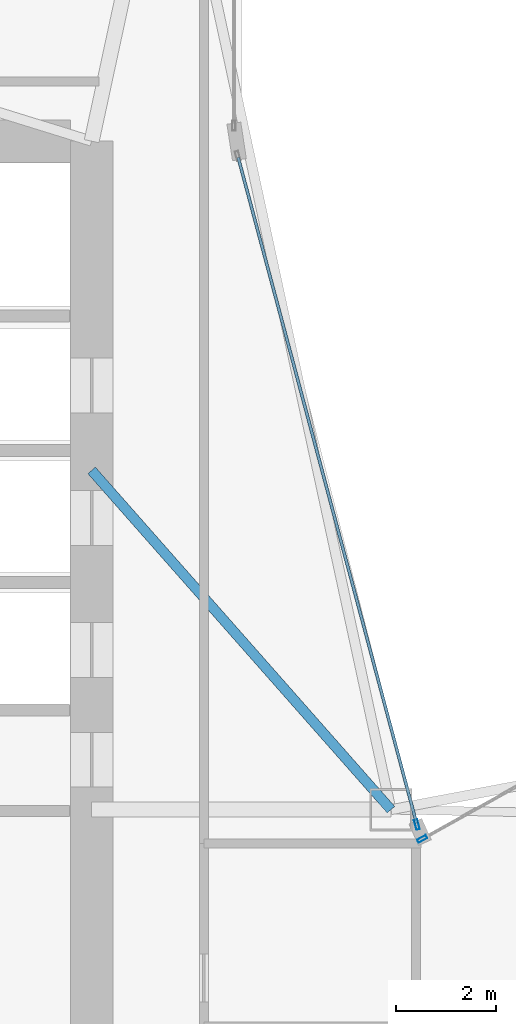
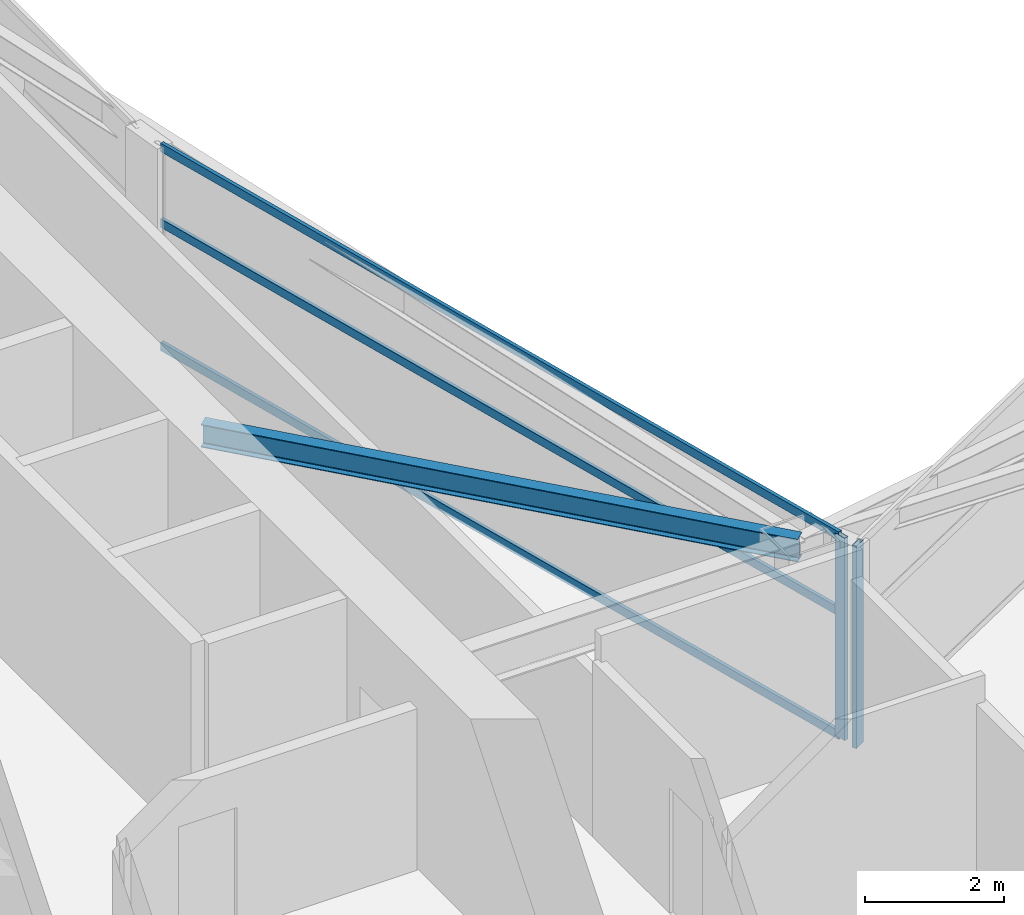
# One storey, part 10 of 29: 5 members, 1 beam, 2 elements without a shape of their own.
"""IFC4 building model written with IfcOpenShell, lengths in metres."""

from ifc_helpers import new_model, si_unit, direction, frame, origin, origin_2d, place, context, subcontext, project, spatial, hollow_rectangle, i_section, extrude, material, layer, layer_set, material_profile, profile_set, type_object, element, aggregate, save


model = new_model("IFC4")

# Units and contexts
model_context = context("Model", 3, precision=1e-05, world=origin(), true_north=direction((0.0, 1.0)))
body_context = subcontext(model_context, "Body", "Model", "MODEL_VIEW")
ifc_project = project(units=[si_unit("LENGTHUNIT", "METRE"), si_unit("AREAUNIT", "SQUARE_METRE"), si_unit("VOLUMEUNIT", "CUBIC_METRE"), si_unit("PLANEANGLEUNIT", "RADIAN"), si_unit("MASSUNIT", "GRAM", prefix="KILO")], contexts=[model_context])

# Site, building, storey
site_placement = place(None, origin())
site = spatial("IfcSite", under=ifc_project, at=site_placement, CompositionType="ELEMENT")
building_placement = place(site_placement, origin())
building = spatial("IfcBuilding", under=site, at=building_placement, Name="Calvorn Quay Hotel", CompositionType="ELEMENT")
storey_placement = place(building_placement, frame((0.0, 0.0, 105.0)))
storey = spatial("IfcBuildingStorey", under=building, at=storey_placement, Name="L25", CompositionType="ELEMENT", Elevation=105.0)

# Beam
ifc_material_1 = material(Name="Steel Q355B", Category="steel")
ifc_material_profile_1 = material_profile(ifc_material_1, i_section(OverallWidth=0.199951171875, OverallDepth=0.39990234375, WebThickness=0.008056640625, FlangeThickness=0.012939453125, FilletRadius=0.01611328125, at=origin_2d()), Name="HN400x200x8x13")
ifc_profile_set_1 = profile_set([ifc_material_profile_1], Name="Steel Q355B")
beam_type = type_object("IfcBeamType", Name="BM-JOIST-TYP", PredefinedType="JOIST", material=ifc_profile_set_1)
beam_placement = place(storey_placement, frame((15.0, 31.800048828125, 3.340087890625), z_axis=(0.661618965899, -0.749840212287, 0.0), x_axis=(0.749840212287, 0.661618965899, 0.0)))
element("IfcBeam", 1, at=beam_placement, inside=storey, type_object=beam_type, Name="Beam BJ-L25-C1", PredefinedType="JOIST", context=body_context, shape_type="SweptSolid", body=[
    extrude(i_section(OverallWidth=0.199951171875, OverallDepth=0.39990234375, WebThickness=0.008056640625, FlangeThickness=0.012939453125, FilletRadius=0.01611328125, at=origin_2d()), origin(), (0.0, 0.0, 1.0), 9.068603515625),
])

# Curtain wall, member
ifc_material_2 = material(Name="Pale Anodised Aluminium and Low-E Glass", Category="aluminium")
ifc_layer = layer(ifc_material_2, 0.219970703125)
ifc_layer_set = layer_set([ifc_layer], Name="CW-SYS-Z2")
curtain_wall_type = type_object("IfcCurtainWallType", Name="CW-SYS-Z2", PredefinedType="NOTDEFINED", material=ifc_layer_set)
curtain_wall_1_placement = place(storey_placement, origin())
curtain_wall_1 = element("IfcCurtainWall", 2, at=curtain_wall_1_placement, inside=storey, type_object=curtain_wall_type, Name="Inner Court Curtain Wall L25-NE1", PredefinedType="NOTDEFINED")
ifc_material_3 = material(Name="Pale Anodised Aluminium 6063-T6", Category="aluminium")
ifc_material_profile_2 = material_profile(ifc_material_3, hollow_rectangle(XDim=0.070068359375, YDim=0.199951171875, WallThickness=0.00390625, at=origin_2d()), Name="ALU-M200x70x4")
ifc_profile_set_2 = profile_set([ifc_material_profile_2], Name="Pale Anodised Aluminium 6063-T6")
member_type_1 = type_object("IfcMemberType", Name="CW-SYS-Z2-MUL", PredefinedType="MULLION", material=ifc_profile_set_2)
member_1_placement = place(storey_placement, frame((21.626220703125, 24.41455078125, 0.0), z_axis=(0.0, 0.0, 1.0), x_axis=(0.486858256224, -0.873480989116, 0.0)))
member_1 = element("IfcMember", 3, at=member_1_placement, type_object=member_type_1, Name="CW-L25-NE1 mullion 4", PredefinedType="MULLION", context=body_context, shape_type="SweptSolid", body=[
    extrude(hollow_rectangle(XDim=0.070068359375, YDim=0.199951171875, WallThickness=0.00390625, at=origin_2d()), origin(), (0.0, 0.0, 1.0), 3.56005859375),
])
aggregate(curtain_wall_1, [member_1])

# Curtain wall, members
curtain_wall_2_placement = place(storey_placement, origin())
curtain_wall_2 = element("IfcCurtainWall", 4, at=curtain_wall_2_placement, inside=storey, type_object=curtain_wall_type, Name="Inner Court Curtain Wall L25-IC1", PredefinedType="NOTDEFINED")
member_2_placement = place(storey_placement, frame((21.520263671875, 24.698974609375, 0.0), z_axis=(0.0, 0.0, 1.0), x_axis=(-0.96593652056, -0.25877913024, 0.0)))
member_2 = element("IfcMember", 5, at=member_2_placement, type_object=member_type_1, Name="CW-L25-IC1 mullion 1", PredefinedType="MULLION", context=body_context, shape_type="SweptSolid", body=[
    extrude(hollow_rectangle(XDim=0.070068359375, YDim=0.199951171875, WallThickness=0.00390625, at=origin_2d()), origin(), (0.0, 0.0, 1.0), 3.56005859375),
])
ifc_material_4 = material(Name="Pale Anodised Aluminium 6063-T6", Category="aluminium")
ifc_material_profile_3 = material_profile(ifc_material_4, hollow_rectangle(XDim=0.06005859375, YDim=0.14990234375, WallThickness=0.00341796875, at=origin_2d()), Name="ALU-T150x60x3.5")
ifc_profile_set_3 = profile_set([ifc_material_profile_3], Name="Pale Anodised Aluminium 6063-T6")
member_type_2 = type_object("IfcMemberType", Name="CW-SYS-Z2-TRN", PredefinedType="USERDEFINED", material=ifc_profile_set_3)
member_3_placement = place(storey_placement, frame((21.512451171875, 24.72802734375, 0.030029296875), z_axis=(-0.258781136883, 0.965935982969, 0.0), x_axis=(-0.965935982969, -0.258781136883, 0.0)))
member_3 = element("IfcMember", 6, at=member_3_placement, type_object=member_type_2, Name="CW-L25-IC1 transom 1.1", ObjectType="TRANSOM", PredefinedType="USERDEFINED", context=body_context, shape_type="SweptSolid", body=[
    extrude(hollow_rectangle(XDim=0.06005859375, YDim=0.14990234375, WallThickness=0.00341796875, at=origin_2d()), origin(), (0.0, 0.0, 1.0), 13.814453125),
])
member_4_placement = place(storey_placement, frame((21.512451171875, 24.72802734375, 2.199951171875), z_axis=(-0.258781136883, 0.965935982969, 0.0), x_axis=(-0.965935982969, -0.258781136883, 0.0)))
member_4 = element("IfcMember", 7, at=member_4_placement, type_object=member_type_2, Name="CW-L25-IC1 transom 1.2", ObjectType="TRANSOM", PredefinedType="USERDEFINED", context=body_context, shape_type="SweptSolid", body=[
    extrude(hollow_rectangle(XDim=0.06005859375, YDim=0.14990234375, WallThickness=0.00341796875, at=origin_2d()), origin(), (0.0, 0.0, 1.0), 13.814453125),
])
member_5_placement = place(storey_placement, frame((21.512451171875, 24.72802734375, 3.530029296875), z_axis=(-0.258781136883, 0.965935982969, 0.0), x_axis=(-0.965935982969, -0.258781136883, 0.0)))
member_5 = element("IfcMember", 8, at=member_5_placement, type_object=member_type_2, Name="CW-L25-IC1 transom 1.3", ObjectType="TRANSOM", PredefinedType="USERDEFINED", context=body_context, shape_type="SweptSolid", body=[
    extrude(hollow_rectangle(XDim=0.06005859375, YDim=0.14990234375, WallThickness=0.00341796875, at=origin_2d()), origin(), (0.0, 0.0, 1.0), 13.814453125),
])
aggregate(curtain_wall_2, [member_2, member_3, member_4, member_5])

save(model, "model.ifc")
